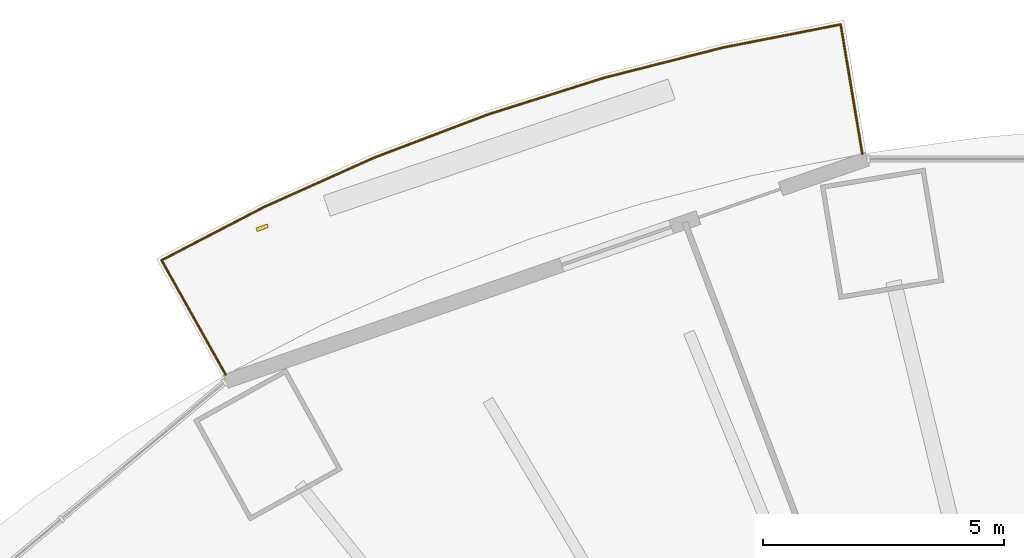
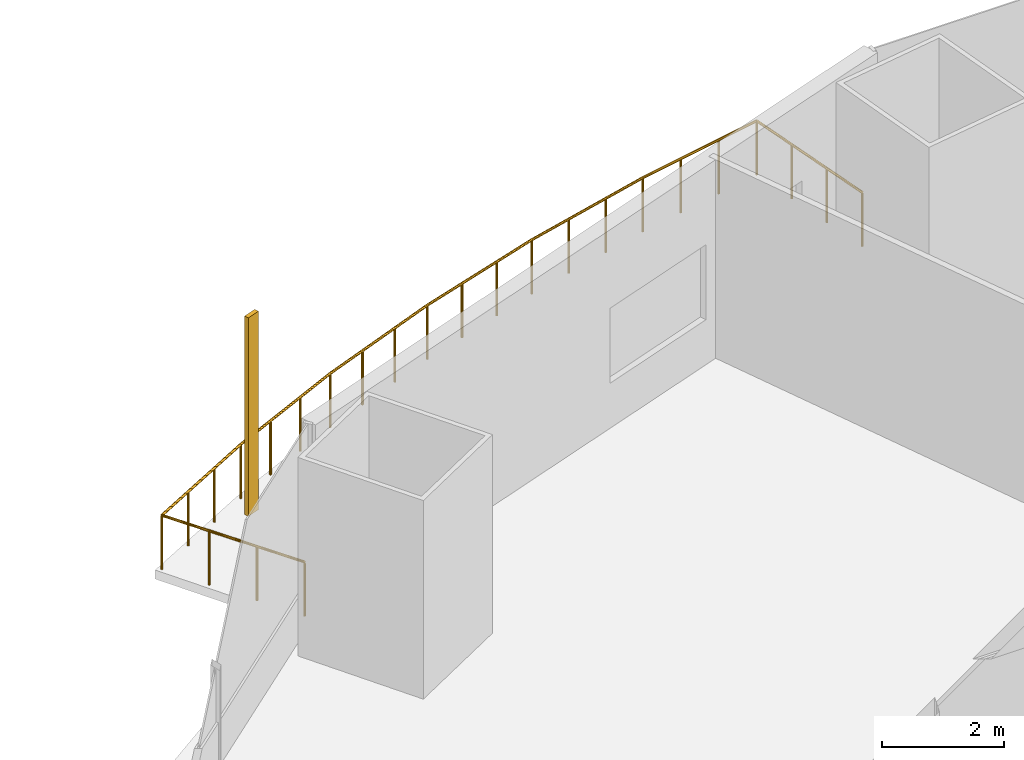
# One storey, part 24 of 27: 1 railing, 1 shading device.
"""IFC4 building model written with IfcOpenShell, lengths in metres."""

from ifc_helpers import new_model, si_unit, direction, frame, origin, origin_2d, place, context, subcontext, project, spatial, rectangle, circle, extrude, material, material_profile, profile_set, type_object, element, save


model = new_model("IFC4")

# Units and contexts
model_context = context("Model", 3, precision=1e-05, world=origin(), true_north=direction((0.0, 1.0)))
body_context = subcontext(model_context, "Body", "Model", "MODEL_VIEW")
ifc_project = project(units=[si_unit("LENGTHUNIT", "METRE"), si_unit("AREAUNIT", "SQUARE_METRE"), si_unit("VOLUMEUNIT", "CUBIC_METRE"), si_unit("PLANEANGLEUNIT", "RADIAN"), si_unit("MASSUNIT", "GRAM", prefix="KILO")], contexts=[model_context])

# Site, building, storey
site_placement = place(None, origin())
site = spatial("IfcSite", under=ifc_project, at=site_placement, CompositionType="ELEMENT")
building_placement = place(site_placement, origin())
building = spatial("IfcBuilding", under=site, at=building_placement, Name="Marenthal Gate Tower", CompositionType="ELEMENT")
storey_placement = place(building_placement, frame((0.0, 0.0, 33.0)))
storey = spatial("IfcBuildingStorey", under=building, at=storey_placement, Name="L04", CompositionType="ELEMENT", Elevation=33.0)

# Railing
ifc_material_1 = material(Name="Stainless steel", Category="steel")
railing_type = type_object("IfcRailingType", Name="Balcony guard 1100", PredefinedType="GUARDRAIL", material=ifc_material_1)
railing_placement = place(storey_placement, frame((-20.486328125, 25.814697265625, 0.0)))
element("IfcRailing", 1, at=railing_placement, inside=storey, type_object=railing_type, Name="Balcony guard L04 bay 5", PredefinedType="GUARDRAIL", context=body_context, shape_type="SweptSolid", body=[
    extrude(circle(Radius=0.02392578125, at=origin_2d()), frame((0.0, 0.0, 1.076171875), z_axis=(-0.488673415611, 0.872342626214, -0.014718538138), x_axis=(-0.872437131701, -0.488726356184, 0.0)), (0.0, 0.0, 1.0), 2.72021484375),
    extrude(circle(Radius=0.02392578125, at=origin_2d()), frame((-1.329345703125, 2.373046875, 1.0361328125), z_axis=(0.887343289023, 0.461109409387, 0.0), x_axis=(-0.461109409387, 0.887343289023, 0.0)), (0.0, 0.0, 1.0), 2.401123046875),
    extrude(circle(Radius=0.02392578125, at=origin_2d()), frame((0.80126953125, 3.480224609375, 1.0361328125), z_axis=(0.912627469977, 0.4087922468, 0.0), x_axis=(-0.4087922468, 0.912627469977, 0.0)), (0.0, 0.0, 1.0), 2.499267578125),
    extrude(circle(Radius=0.02392578125, at=origin_2d()), frame((3.082275390625, 4.501953125, 1.0361328125), z_axis=(0.934889862007, 0.354937946572, 0.0), x_axis=(-0.354937946572, 0.934889862007, 0.0)), (0.0, 0.0, 1.0), 2.51611328125),
    extrude(circle(Radius=0.02392578125, at=origin_2d()), frame((5.4345703125, 5.39501953125, 1.0361328125), z_axis=(0.953699220219, 0.300762027778, 0.0), x_axis=(-0.300762027778, 0.953699220219, 0.0)), (0.0, 0.0, 1.0), 2.531005859375),
    extrude(circle(Radius=0.02392578125, at=origin_2d()), frame((7.848388671875, 6.15625, 1.0361328125), z_axis=(0.969175134663, 0.246372803593, 0.0), x_axis=(-0.246372803593, 0.969175134663, 0.0)), (0.0, 0.0, 1.0), 2.543701171875),
    extrude(circle(Radius=0.02392578125, at=origin_2d()), frame((10.313720703125, 6.782958984375, 1.0361328125), z_axis=(0.981295113893, 0.192509478854, 0.0), x_axis=(-0.192509478854, 0.981295113893, 0.0)), (0.0, 0.0, 1.0), 2.474365234375),
    extrude(circle(Radius=0.02392578125, at=origin_2d()), frame((12.74169921875, 7.25927734375, 1.0361328125), z_axis=(0.164512163182, -0.986265227064, 0.014719036968), x_axis=(0.986372081632, 0.164529986862, 0.0)), (0.0, 0.0, 1.0), 2.72021484375),
    extrude(circle(Radius=0.02099609375, at=origin_2d()), origin(), (0.0, 0.0, 1.0), 1.052001953125),
    extrude(circle(Radius=0.02099609375, at=origin_2d()), frame((-0.443115234375, 0.791015625, -0.013427734375)), (0.0, 0.0, 1.0), 1.052001953125),
    extrude(circle(Radius=0.02099609375, at=origin_2d()), frame((-0.88623046875, 1.58203125, -0.026611328125)), (0.0, 0.0, 1.0), 1.052001953125),
    extrude(circle(Radius=0.02099609375, at=origin_2d()), frame((-1.329345703125, 2.373046875, -0.0400390625)), (0.0, 0.0, 1.0), 1.052001953125),
    extrude(circle(Radius=0.02099609375, at=origin_2d()), frame((-0.619140625, 2.7421875, -0.0400390625)), (0.0, 0.0, 1.0), 1.052001953125),
    extrude(circle(Radius=0.02099609375, at=origin_2d()), frame((0.091064453125, 3.111083984375, -0.0400390625)), (0.0, 0.0, 1.0), 1.052001953125),
    extrude(circle(Radius=0.02099609375, at=origin_2d()), frame((0.80126953125, 3.480224609375, -0.0400390625)), (0.0, 0.0, 1.0), 1.052001953125),
    extrude(circle(Radius=0.02099609375, at=origin_2d()), frame((1.5615234375, 3.82080078125, -0.0400390625)), (0.0, 0.0, 1.0), 1.052001953125),
    extrude(circle(Radius=0.02099609375, at=origin_2d()), frame((2.322021484375, 4.161376953125, -0.0400390625)), (0.0, 0.0, 1.0), 1.052001953125),
    extrude(circle(Radius=0.02099609375, at=origin_2d()), frame((3.082275390625, 4.501953125, -0.0400390625)), (0.0, 0.0, 1.0), 1.052001953125),
    extrude(circle(Radius=0.02099609375, at=origin_2d()), frame((3.866455078125, 4.799560546875, -0.0400390625)), (0.0, 0.0, 1.0), 1.052001953125),
    extrude(circle(Radius=0.02099609375, at=origin_2d()), frame((4.650390625, 5.097412109375, -0.0400390625)), (0.0, 0.0, 1.0), 1.052001953125),
    extrude(circle(Radius=0.02099609375, at=origin_2d()), frame((5.4345703125, 5.39501953125, -0.0400390625)), (0.0, 0.0, 1.0), 1.052001953125),
    extrude(circle(Radius=0.02099609375, at=origin_2d()), frame((6.2392578125, 5.648681640625, -0.0400390625)), (0.0, 0.0, 1.0), 1.052001953125),
    extrude(circle(Radius=0.02099609375, at=origin_2d()), frame((7.043701171875, 5.902587890625, -0.0400390625)), (0.0, 0.0, 1.0), 1.052001953125),
    extrude(circle(Radius=0.02099609375, at=origin_2d()), frame((7.848388671875, 6.15625, -0.0400390625)), (0.0, 0.0, 1.0), 1.052001953125),
    extrude(circle(Radius=0.02099609375, at=origin_2d()), frame((8.670166015625, 6.365234375, -0.0400390625)), (0.0, 0.0, 1.0), 1.052001953125),
    extrude(circle(Radius=0.02099609375, at=origin_2d()), frame((9.491943359375, 6.573974609375, -0.0400390625)), (0.0, 0.0, 1.0), 1.052001953125),
    extrude(circle(Radius=0.02099609375, at=origin_2d()), frame((10.313720703125, 6.782958984375, -0.0400390625)), (0.0, 0.0, 1.0), 1.052001953125),
    extrude(circle(Radius=0.02099609375, at=origin_2d()), frame((11.123046875, 6.941650390625, -0.0400390625)), (0.0, 0.0, 1.0), 1.052001953125),
    extrude(circle(Radius=0.02099609375, at=origin_2d()), frame((11.932373046875, 7.1005859375, -0.0400390625)), (0.0, 0.0, 1.0), 1.052001953125),
    extrude(circle(Radius=0.02099609375, at=origin_2d()), frame((12.74169921875, 7.25927734375, -0.0400390625)), (0.0, 0.0, 1.0), 1.052001953125),
    extrude(circle(Radius=0.02099609375, at=origin_2d()), frame((12.890869140625, 6.364990234375, -0.026611328125)), (0.0, 0.0, 1.0), 1.052001953125),
    extrude(circle(Radius=0.02099609375, at=origin_2d()), frame((13.0400390625, 5.470703125, -0.013427734375)), (0.0, 0.0, 1.0), 1.052001953125),
    extrude(circle(Radius=0.02099609375, at=origin_2d()), frame((13.189208984375, 4.576416015625, 0.0)), (0.0, 0.0, 1.0), 1.052001953125),
])

# Shading device
ifc_material_2 = material(Name="Terracotta", Category="masonry")
ifc_material_profile = material_profile(ifc_material_2, rectangle(XDim=0.25, YDim=0.080078125, at=origin_2d()), Name="Terracotta baguette 250x80")
ifc_profile_set = profile_set([ifc_material_profile], Name="Terracotta")
shading_device_type = type_object("IfcShadingDeviceType", Name="Terracotta BAGUETTE SCREEN 250x80", PredefinedType="USERDEFINED", material=ifc_profile_set)
shading_device_placement = place(storey_placement, frame((-19.730712890625, 28.861572265625, -0.0400390625), z_axis=(0.0, 0.0, 1.0), x_axis=(-0.944708230663, -0.327912120725, 0.0)))
element("IfcShadingDevice", 2, at=shading_device_placement, inside=storey, type_object=shading_device_type, Name="Terracotta BAGUETTE L04 bay 5R", ObjectType="BAGUETTE SCREEN", PredefinedType="USERDEFINED", context=body_context, shape_type="SweptSolid", body=[
    extrude(rectangle(XDim=0.25, YDim=0.080078125, at=origin_2d()), origin(), (0.0, 0.0, 1.0), 3.969970703125),
])

save(model, "model.ifc")
